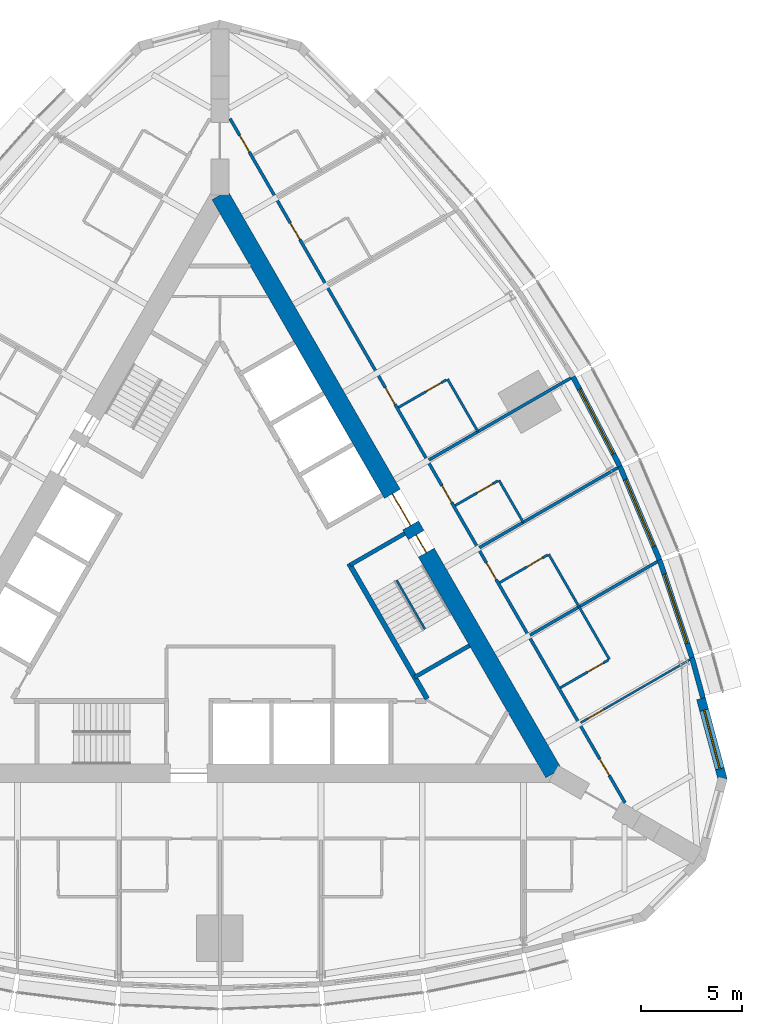
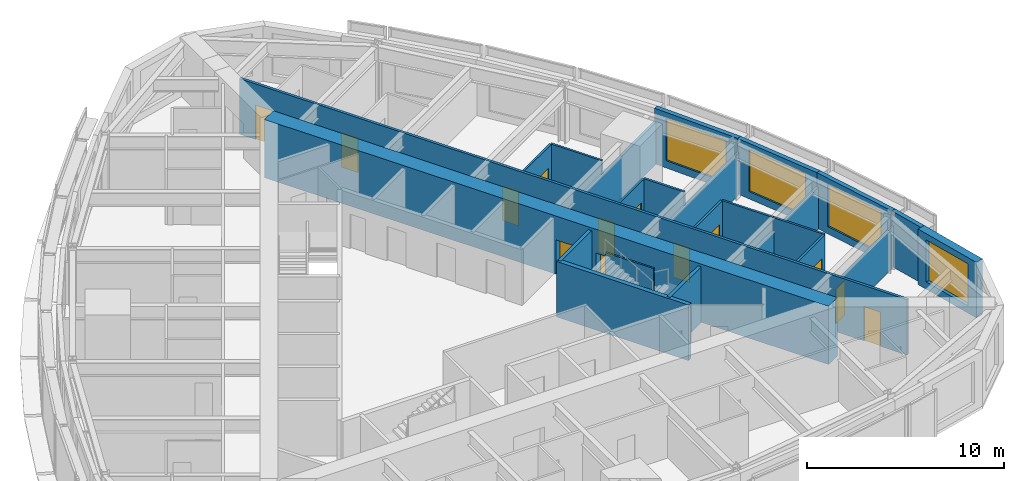
# One storey, part 12 of 15: 23 walls, 13 doors, 4 windows, 17 openings.
"""IFC4 building model written with IfcOpenShell, lengths in metres."""

from ifc_helpers import new_model, si_unit, direction, frame, frame_2d, origin, place, context, subcontext, project, spatial, rectangle, extrude, material, layer, layer_set, type_object, element, fill, save


model = new_model("IFC4")

# Units and contexts
model_context = context("Model", 3, precision=1e-05, world=origin(), true_north=direction((0.0, 1.0)))
body_context = subcontext(model_context, "Body", "Model", "MODEL_VIEW")
ifc_project = project(units=[si_unit("LENGTHUNIT", "METRE"), si_unit("AREAUNIT", "SQUARE_METRE"), si_unit("VOLUMEUNIT", "CUBIC_METRE"), si_unit("PLANEANGLEUNIT", "RADIAN"), si_unit("MASSUNIT", "GRAM", prefix="KILO")], contexts=[model_context])

# Site, building, storey
site_placement = place(None, origin())
site = spatial("IfcSite", under=ifc_project, at=site_placement, CompositionType="ELEMENT")
building_placement = place(site_placement, origin())
building = spatial("IfcBuilding", under=site, at=building_placement, Name="Trikona Tower", CompositionType="ELEMENT")
storey_placement = place(building_placement, frame((0.0, 0.0, 200.89990234375)))
storey = spatial("IfcBuildingStorey", under=building, at=storey_placement, Name="L53", CompositionType="ELEMENT", Elevation=200.89990234375)

# Wall
ifc_material_1 = material(Name="Metal stud and cement board", Category="gypsum")
ifc_layer_1 = layer(ifc_material_1, 0.1201171875)
ifc_layer_set_1 = layer_set([ifc_layer_1], Name="Bathroom wall 120")
wall_type_1 = type_object("IfcWallType", Name="Bathroom wall 120", PredefinedType="PLUMBINGWALL", material=ifc_layer_set_1)
wall_1_placement = place(storey_placement, frame((19.25341796875, -3.895263671875, 0.0), z_axis=(0.0, 0.0, 1.0), x_axis=(-0.499990139034, 0.866031096941, 0.0)))
element("IfcWall", 1, at=wall_1_placement, inside=storey, type_object=wall_type_1, Name="Bathroom wall 5306.1", PredefinedType="PLUMBINGWALL", context=body_context, shape_type="SweptSolid", body=[
    extrude(rectangle(XDim=3.0, YDim=0.1201171875, at=frame_2d((1.5, 0.0))), origin(), (0.0, 0.0, 1.0), 3.43505859375),
])

# Wall, opening, door
wall_2_placement = place(storey_placement, frame((16.82861328125, -5.295166015625, 0.0), z_axis=(0.0, 0.0, 1.0), x_axis=(0.866035715982, 0.499982138324, 0.0)))
wall_2 = element("IfcWall", 2, at=wall_2_placement, inside=storey, type_object=wall_type_1, Name="Bathroom wall 5306.1", PredefinedType="PLUMBINGWALL", context=body_context, shape_type="SweptSolid", body=[
    extrude(rectangle(XDim=2.73974609375, YDim=0.1201171875, at=frame_2d((1.369873046875, 0.0))), origin(), (0.0, 0.0, 1.0), 3.43505859375),
])
opening_1_placement = place(wall_2_placement, frame((1.550048828125, 0.0, 0.0)))
opening_1 = element("IfcOpeningElement", 3, at=opening_1_placement, cuts=wall_2, Name="Opening D2", PredefinedType="OPENING", context=body_context, shape_type="SweptSolid", body=[
    extrude(rectangle(XDim=0.89990234375, YDim=2.1298828125, at=frame_2d((0.449951171875, 1.06494140625))), frame((0.0, 0.070068359375, 0.0), z_axis=(0.0, -1.0, 0.0), x_axis=(1.0, 0.0, 0.0)), (0.0, 0.0, 1.0), 0.14013671875),
])
ifc_material_2 = material(Name="Steel door frame with solid-core timber leaf", Category="steel")
door_type_1 = type_object("IfcDoorType", Name="Bathroom door 900x2130", OperationType="SLIDING_TO_LEFT", PredefinedType="DOOR", material=ifc_material_2)
door_1_placement = place(opening_1_placement, origin())
door_1 = element("IfcDoor", 4, at=door_1_placement, inside=storey, type_object=door_type_1, Name="Bathroom door 5306.1", OperationType="SLIDING_TO_LEFT", OverallHeight=2.1298828125, OverallWidth=0.89990234375, PredefinedType="DOOR", context=body_context, shape_type="SweptSolid", body=[
    extrude(rectangle(XDim=0.89990234375, YDim=2.1298828125, at=frame_2d((0.449951171875, 1.06494140625))), frame((0.0, 0.02490234375, 0.0), z_axis=(0.0, -1.0, 0.0), x_axis=(1.0, 0.0, 0.0)), (0.0, 0.0, 1.0), 0.050048828125),
])
fill(opening_1, door_1)

# Wall
wall_3_placement = place(storey_placement, frame((17.75341796875, -1.297119140625, 0.0), z_axis=(0.0, 0.0, 1.0), x_axis=(-0.499990139034, 0.866031096941, 0.0)))
element("IfcWall", 5, at=wall_3_placement, inside=storey, type_object=wall_type_1, Name="Bathroom wall 5307", PredefinedType="PLUMBINGWALL", context=body_context, shape_type="SweptSolid", body=[
    extrude(rectangle(XDim=3.0, YDim=0.1201171875, at=frame_2d((1.5, 0.0))), origin(), (0.0, 0.0, 1.0), 3.43505859375),
])

# Wall, opening, door
wall_4_placement = place(storey_placement, frame((13.82861328125, -0.09912109375, 0.0), z_axis=(0.0, 0.0, 1.0), x_axis=(0.865997131366, 0.500048966069, 0.0)))
wall_4 = element("IfcWall", 6, at=wall_4_placement, inside=storey, type_object=wall_type_1, Name="Bathroom wall 5307", PredefinedType="PLUMBINGWALL", context=body_context, shape_type="SweptSolid", body=[
    extrude(rectangle(XDim=2.739990234375, YDim=0.1201171875, at=frame_2d((1.3701171875, 0.0))), origin(), (0.0, 0.0, 1.0), 3.43505859375),
])
opening_2_placement = place(wall_4_placement, frame((1.550048828125, 0.0, 0.0)))
opening_2 = element("IfcOpeningElement", 7, at=opening_2_placement, cuts=wall_4, Name="Opening D2", PredefinedType="OPENING", context=body_context, shape_type="SweptSolid", body=[
    extrude(rectangle(XDim=0.89990234375, YDim=2.1298828125, at=frame_2d((0.449951171875, 1.06494140625))), frame((0.0, 0.070068359375, 0.0), z_axis=(0.0, -1.0, 0.0), x_axis=(1.0, 0.0, 0.0)), (0.0, 0.0, 1.0), 0.14013671875),
])
door_2_placement = place(opening_2_placement, origin())
door_2 = element("IfcDoor", 8, at=door_2_placement, inside=storey, type_object=door_type_1, Name="Bathroom door 5307", OperationType="SLIDING_TO_LEFT", OverallHeight=2.1298828125, OverallWidth=0.89990234375, PredefinedType="DOOR", context=body_context, shape_type="SweptSolid", body=[
    extrude(rectangle(XDim=0.89990234375, YDim=2.1298828125, at=frame_2d((0.449951171875, 1.06494140625))), frame((0.0, 0.02490234375, 0.0), z_axis=(0.0, -1.0, 0.0), x_axis=(1.0, 0.0, 0.0)), (0.0, 0.0, 1.0), 0.050048828125),
])
fill(opening_2, door_2)

# Wall
wall_5_placement = place(storey_placement, frame((14.993408203125, 2.883056640625, 0.0), z_axis=(0.0, 0.0, 1.0), x_axis=(-0.500001309137, 0.866024647952, 0.0)))
element("IfcWall", 9, at=wall_5_placement, inside=storey, type_object=wall_type_1, Name="Bathroom wall 5308", PredefinedType="PLUMBINGWALL", context=body_context, shape_type="SweptSolid", body=[
    extrude(rectangle(XDim=2.39990234375, YDim=0.1201171875, at=frame_2d((1.199951171875, 0.0))), origin(), (0.0, 0.0, 1.0), 3.43505859375),
])

# Wall, opening, door
wall_6_placement = place(storey_placement, frame((11.62841796875, 3.71142578125, 0.0), z_axis=(0.0, 0.0, 1.0), x_axis=(0.866048967903, 0.499959183527, 0.0)))
wall_6 = element("IfcWall", 10, at=wall_6_placement, inside=storey, type_object=wall_type_1, Name="Bathroom wall 5308", PredefinedType="PLUMBINGWALL", context=body_context, shape_type="SweptSolid", body=[
    extrude(rectangle(XDim=2.440185546875, YDim=0.1201171875, at=frame_2d((1.22021484375, 0.0))), origin(), (0.0, 0.0, 1.0), 3.43505859375),
])
opening_3_placement = place(wall_6_placement, frame((1.25, 0.0, 0.0)))
opening_3 = element("IfcOpeningElement", 11, at=opening_3_placement, cuts=wall_6, Name="Opening D2", PredefinedType="OPENING", context=body_context, shape_type="SweptSolid", body=[
    extrude(rectangle(XDim=0.89990234375, YDim=2.1298828125, at=frame_2d((0.449951171875, 1.06494140625))), frame((0.0, 0.070068359375, 0.0), z_axis=(0.0, -1.0, 0.0), x_axis=(1.0, 0.0, 0.0)), (0.0, 0.0, 1.0), 0.14013671875),
])
door_3_placement = place(opening_3_placement, origin())
door_3 = element("IfcDoor", 12, at=door_3_placement, inside=storey, type_object=door_type_1, Name="Bathroom door 5308", OperationType="SLIDING_TO_LEFT", OverallHeight=2.1298828125, OverallWidth=0.89990234375, PredefinedType="DOOR", context=body_context, shape_type="SweptSolid", body=[
    extrude(rectangle(XDim=0.89990234375, YDim=2.1298828125, at=frame_2d((0.449951171875, 1.06494140625))), frame((0.0, 0.02490234375, 0.0), z_axis=(0.0, -1.0, 0.0), x_axis=(1.0, 0.0, 0.0)), (0.0, 0.0, 1.0), 0.050048828125),
])
fill(opening_3, door_3)

# Wall
wall_7_placement = place(storey_placement, frame((12.75341796875, 7.363037109375, 0.0), z_axis=(0.0, 0.0, 1.0), x_axis=(-0.499990139034, 0.866031096941, 0.0)))
element("IfcWall", 13, at=wall_7_placement, inside=storey, type_object=wall_type_1, Name="Bathroom wall 5309", PredefinedType="PLUMBINGWALL", context=body_context, shape_type="SweptSolid", body=[
    extrude(rectangle(XDim=3.0, YDim=0.1201171875, at=frame_2d((1.5, 0.0))), origin(), (0.0, 0.0, 1.0), 3.43505859375),
])

# Wall, opening, door
wall_8_placement = place(storey_placement, frame((8.82861328125, 8.561279296875, 0.0), z_axis=(0.0, 0.0, 1.0), x_axis=(0.866035715982, 0.499982138324, 0.0)))
wall_8 = element("IfcWall", 14, at=wall_8_placement, inside=storey, type_object=wall_type_1, Name="Bathroom wall 5309", PredefinedType="PLUMBINGWALL", context=body_context, shape_type="SweptSolid", body=[
    extrude(rectangle(XDim=2.73974609375, YDim=0.1201171875, at=frame_2d((1.369873046875, 0.0))), origin(), (0.0, 0.0, 1.0), 3.43505859375),
])
opening_4_placement = place(wall_8_placement, frame((1.550048828125, 0.0, 0.0)))
opening_4 = element("IfcOpeningElement", 15, at=opening_4_placement, cuts=wall_8, Name="Opening D2", PredefinedType="OPENING", context=body_context, shape_type="SweptSolid", body=[
    extrude(rectangle(XDim=0.89990234375, YDim=2.1298828125, at=frame_2d((0.449951171875, 1.06494140625))), frame((0.0, 0.070068359375, 0.0), z_axis=(0.0, -1.0, 0.0), x_axis=(1.0, 0.0, 0.0)), (0.0, 0.0, 1.0), 0.14013671875),
])
door_4_placement = place(opening_4_placement, origin())
door_4 = element("IfcDoor", 16, at=door_4_placement, inside=storey, type_object=door_type_1, Name="Bathroom door 5309", OperationType="SLIDING_TO_LEFT", OverallHeight=2.1298828125, OverallWidth=0.89990234375, PredefinedType="DOOR", context=body_context, shape_type="SweptSolid", body=[
    extrude(rectangle(XDim=0.89990234375, YDim=2.1298828125, at=frame_2d((0.449951171875, 1.06494140625))), frame((0.0, 0.02490234375, 0.0), z_axis=(0.0, -1.0, 0.0), x_axis=(1.0, 0.0, 0.0)), (0.0, 0.0, 1.0), 0.050048828125),
])
fill(opening_4, door_4)

# Wall, opening, window
ifc_material_3 = material(Name="Brick-faced precast concrete", Category="masonry")
ifc_layer_2 = layer(ifc_material_3, 0.449951171875)
ifc_layer_set_2 = layer_set([ifc_layer_2], Name="Brick-faced corner wall 450")
wall_type_2 = type_object("IfcWallType", Name="Brick-faced corner wall 450", PredefinedType="SOLIDWALL", material=ifc_layer_set_2)
wall_9_placement = place(storey_placement, frame((24.865478515625, -9.873291015625, 0.0), z_axis=(0.0, 0.0, 1.0), x_axis=(-0.258784695888, 0.965935029479, 0.0)))
wall_9 = element("IfcWall", 17, at=wall_9_placement, inside=storey, type_object=wall_type_2, Name="External wall L53-11", PredefinedType="SOLIDWALL", context=body_context, shape_type="SweptSolid", body=[
    extrude(rectangle(XDim=4.18408203125, YDim=0.449951171875, at=frame_2d((2.092041015625, 0.0))), origin(), (0.0, 0.0, 1.0), 3.43505859375),
])
opening_5_placement = place(wall_9_placement, frame((0.592041015625, 0.0, 0.449951171875)))
opening_5 = element("IfcOpeningElement", 18, at=opening_5_placement, cuts=wall_9, Name="Opening W3026", PredefinedType="OPENING", context=body_context, shape_type="SweptSolid", body=[
    extrude(rectangle(XDim=3.0, YDim=2.60009765625, at=frame_2d((1.5, 1.300048828125))), frame((0.0, 0.23486328125, 0.0), z_axis=(0.0, -1.0, 0.0), x_axis=(1.0, 0.0, 0.0)), (0.0, 0.0, 1.0), 0.469970703125),
])
ifc_material_4 = material(Name="Aluminium-framed double glazing", Category="aluminium")
window_type_1 = type_object("IfcWindowType", Name="Window 3000x2600", PartitioningType="SINGLE_PANEL", PredefinedType="WINDOW", material=ifc_material_4)
window_1_placement = place(opening_5_placement, origin())
window_1 = element("IfcWindow", 19, at=window_1_placement, inside=storey, type_object=window_type_1, Name="Window 5306", OverallHeight=2.60009765625, OverallWidth=3.0, PartitioningType="SINGLE_PANEL", PredefinedType="WINDOW", context=body_context, shape_type="SweptSolid", body=[
    extrude(rectangle(XDim=3.0, YDim=2.60009765625, at=frame_2d((1.5, 1.300048828125))), frame((0.0, 0.030029296875, 0.0), z_axis=(0.0, -1.0, 0.0), x_axis=(1.0, 0.0, 0.0)), (0.0, 0.0, 1.0), 0.06005859375),
])
fill(opening_5, window_1)

# Wall, openings, doors
ifc_material_5 = material(Name="Concrete f'c 10000 psi", Category="concrete")
ifc_layer_3 = layer(ifc_material_5, 0.89990234375)
ifc_layer_set_3 = layer_set([ifc_layer_3], Name="Core wall 900")
wall_type_3 = type_object("IfcWallType", Name="Core wall 900", PredefinedType="SHEAR", material=ifc_layer_set_3)
wall_10_placement = place(storey_placement, frame((16.5, -9.5263671875, 0.0), z_axis=(0.0, 0.0, 1.0), x_axis=(-0.499999749417, 0.866025548458, 0.0)))
wall_10 = element("IfcWall", 20, at=wall_10_placement, inside=storey, type_object=wall_type_3, Name="Core wall B", PredefinedType="SHEAR", context=body_context, shape_type="SweptSolid", body=[
    extrude(rectangle(XDim=33.0, YDim=0.89990234375, at=frame_2d((16.5, 0.0))), origin(), (0.0, 0.0, 1.0), 3.60009765625),
])
opening_6_placement = place(wall_10_placement, frame((14.14990234375, 0.0, 0.0)))
opening_6 = element("IfcOpeningElement", 21, at=opening_6_placement, cuts=wall_10, Name="Opening D6", PredefinedType="OPENING", context=body_context, shape_type="SweptSolid", body=[
    extrude(rectangle(XDim=1.800048828125, YDim=2.1298828125, at=frame_2d((0.89990234375, 1.06494140625))), frame((0.0, 0.4599609375, 0.0), z_axis=(0.0, -1.0, 0.0), x_axis=(1.0, 0.0, 0.0)), (0.0, 0.0, 1.0), 0.919921875),
])
opening_7_placement = place(wall_10_placement, frame((12.60009765625, 0.0, 0.0)))
opening_7 = element("IfcOpeningElement", 22, at=opening_7_placement, cuts=wall_10, Name="Opening D5", PredefinedType="OPENING", context=body_context, shape_type="SweptSolid", body=[
    extrude(rectangle(XDim=1.0, YDim=2.1298828125, at=frame_2d((0.5, 1.06494140625))), frame((0.0, 0.4599609375, 0.0), z_axis=(0.0, -1.0, 0.0), x_axis=(1.0, 0.0, 0.0)), (0.0, 0.0, 1.0), 0.919921875),
])
ifc_material_6 = material(Name="Hollow metal door and frame", Category="steel")
door_type_2 = type_object("IfcDoorType", Name="Lobby door pair 1800x2130", OperationType="DOUBLE_DOOR_SINGLE_SWING", PredefinedType="DOOR", material=ifc_material_6)
door_5_placement = place(opening_6_placement, origin())
door_5 = element("IfcDoor", 23, at=door_5_placement, inside=storey, type_object=door_type_2, Name="Lift lobby door B", OperationType="DOUBLE_DOOR_SINGLE_SWING", OverallHeight=2.1298828125, OverallWidth=1.800048828125, PredefinedType="DOOR", context=body_context, shape_type="SweptSolid", body=[
    extrude(rectangle(XDim=1.800048828125, YDim=2.1298828125, at=frame_2d((0.89990234375, 1.06494140625))), frame((0.0, 0.02490234375, 0.0), z_axis=(0.0, -1.0, 0.0), x_axis=(1.0, 0.0, 0.0)), (0.0, 0.0, 1.0), 0.050048828125),
])
fill(opening_6, door_5)
ifc_material_7 = material(Name="Hollow metal door and frame", Category="steel")
door_type_3 = type_object("IfcDoorType", Name="Stair door 1000x2130", OperationType="SINGLE_SWING_LEFT", PredefinedType="DOOR", material=ifc_material_7)
door_6_placement = place(opening_7_placement, origin())
door_6 = element("IfcDoor", 24, at=door_6_placement, inside=storey, type_object=door_type_3, Name="Stair B door", OperationType="SINGLE_SWING_RIGHT", OverallHeight=2.1298828125, OverallWidth=1.0, PredefinedType="DOOR", context=body_context, shape_type="SweptSolid", body=[
    extrude(rectangle(XDim=1.0, YDim=2.1298828125, at=frame_2d((0.5, 1.06494140625))), frame((0.0, 0.02490234375, 0.0), z_axis=(0.0, -1.0, 0.0), x_axis=(1.0, 0.0, 0.0)), (0.0, 0.0, 1.0), 0.050048828125),
])
fill(opening_7, door_6)

ifc_material_8 = material(Name="Metal stud and gypsum board, 1-hour", Category="gypsum")
ifc_layer_4 = layer(ifc_material_8, 0.14990234375)
ifc_layer_set_4 = layer_set([ifc_layer_4], Name="Corridor wall 150")
wall_type_4 = type_object("IfcWallType", Name="Corridor wall 150", PredefinedType="PARTITIONING", material=ifc_layer_set_4)
wall_11_placement = place(storey_placement, frame((20.027099609375, -10.9853515625, 0.0), z_axis=(0.0, 0.0, 1.0), x_axis=(-0.500001677587, 0.866024435227, 0.0)))
wall_11 = element("IfcWall", 25, at=wall_11_placement, inside=storey, type_object=wall_type_4, Name="Corridor wall L53-2", PredefinedType="PARTITIONING", context=body_context, shape_type="SweptSolid", body=[
    extrude(rectangle(XDim=39.053955078125, YDim=0.14990234375, at=frame_2d((19.52685546875, 0.0))), origin(), (0.0, 0.0, 1.0), 3.43505859375),
])
opening_8_placement = place(wall_11_placement, frame((1.558349609375, 0.0, 0.0)))
opening_8 = element("IfcOpeningElement", 26, at=opening_8_placement, cuts=wall_11, Name="Opening D1", PredefinedType="OPENING", context=body_context, shape_type="SweptSolid", body=[
    extrude(rectangle(XDim=0.949951171875, YDim=2.1298828125, at=frame_2d((0.47509765625, 1.06494140625))), frame((0.0, 0.0849609375, 0.0), z_axis=(0.0, -1.0, 0.0), x_axis=(1.0, 0.0, 0.0)), (0.0, 0.0, 1.0), 0.169921875),
])
opening_9_placement = place(wall_11_placement, frame((12.751953125, 0.0, 0.0)))
opening_9 = element("IfcOpeningElement", 27, at=opening_9_placement, cuts=wall_11, Name="Opening D1", PredefinedType="OPENING", context=body_context, shape_type="SweptSolid", body=[
    extrude(rectangle(XDim=0.949951171875, YDim=2.1298828125, at=frame_2d((0.47509765625, 1.06494140625))), frame((0.0, 0.0849609375, 0.0), z_axis=(0.0, -1.0, 0.0), x_axis=(1.0, 0.0, 0.0)), (0.0, 0.0, 1.0), 0.169921875),
])
opening_10_placement = place(wall_11_placement, frame((17.152099609375, 0.0, 0.0)))
opening_10 = element("IfcOpeningElement", 28, at=opening_10_placement, cuts=wall_11, Name="Opening D1", PredefinedType="OPENING", context=body_context, shape_type="SweptSolid", body=[
    extrude(rectangle(XDim=0.949951171875, YDim=2.1298828125, at=frame_2d((0.47509765625, 1.06494140625))), frame((0.0, 0.0849609375, 0.0), z_axis=(0.0, -1.0, 0.0), x_axis=(1.0, 0.0, 0.0)), (0.0, 0.0, 1.0), 0.169921875),
])
opening_11_placement = place(wall_11_placement, frame((22.751953125, 0.0, 0.0)))
opening_11 = element("IfcOpeningElement", 29, at=opening_11_placement, cuts=wall_11, Name="Opening D1", PredefinedType="OPENING", context=body_context, shape_type="SweptSolid", body=[
    extrude(rectangle(XDim=0.949951171875, YDim=2.1298828125, at=frame_2d((0.47509765625, 1.06494140625))), frame((0.0, 0.0849609375, 0.0), z_axis=(0.0, -1.0, 0.0), x_axis=(1.0, 0.0, 0.0)), (0.0, 0.0, 1.0), 0.169921875),
])
opening_12_placement = place(wall_11_placement, frame((32.152099609375, 0.0, 0.0)))
opening_12 = element("IfcOpeningElement", 30, at=opening_12_placement, cuts=wall_11, Name="Opening D1", PredefinedType="OPENING", context=body_context, shape_type="SweptSolid", body=[
    extrude(rectangle(XDim=0.949951171875, YDim=2.1298828125, at=frame_2d((0.47509765625, 1.06494140625))), frame((0.0, 0.0849609375, 0.0), z_axis=(0.0, -1.0, 0.0), x_axis=(1.0, 0.0, 0.0)), (0.0, 0.0, 1.0), 0.169921875),
])
opening_13_placement = place(wall_11_placement, frame((37.152099609375, 0.0, 0.0)))
opening_13 = element("IfcOpeningElement", 31, at=opening_13_placement, cuts=wall_11, Name="Opening D1", PredefinedType="OPENING", context=body_context, shape_type="SweptSolid", body=[
    extrude(rectangle(XDim=0.949951171875, YDim=2.1298828125, at=frame_2d((0.47509765625, 1.06494140625))), frame((0.0, 0.0849609375, 0.0), z_axis=(0.0, -1.0, 0.0), x_axis=(1.0, 0.0, 0.0)), (0.0, 0.0, 1.0), 0.169921875),
])
ifc_material_9 = material(Name="Steel door frame with solid-core timber leaf", Category="steel")
door_type_4 = type_object("IfcDoorType", Name="Guest room door 950x2130", OperationType="SINGLE_SWING_LEFT", PredefinedType="DOOR", material=ifc_material_9)
door_7_placement = place(opening_8_placement, origin())
door_7 = element("IfcDoor", 32, at=door_7_placement, inside=storey, type_object=door_type_4, Name="Room door 5306", OperationType="SINGLE_SWING_LEFT", OverallHeight=2.1298828125, OverallWidth=0.949951171875, PredefinedType="DOOR", context=body_context, shape_type="SweptSolid", body=[
    extrude(rectangle(XDim=0.949951171875, YDim=2.1298828125, at=frame_2d((0.47509765625, 1.06494140625))), frame((0.0, 0.02490234375, 0.0), z_axis=(0.0, -1.0, 0.0), x_axis=(1.0, 0.0, 0.0)), (0.0, 0.0, 1.0), 0.050048828125),
])
fill(opening_8, door_7)
door_8_placement = place(opening_9_placement, origin())
door_8 = element("IfcDoor", 33, at=door_8_placement, inside=storey, type_object=door_type_4, Name="Room door 5307", OperationType="SINGLE_SWING_RIGHT", OverallHeight=2.1298828125, OverallWidth=0.949951171875, PredefinedType="DOOR", context=body_context, shape_type="SweptSolid", body=[
    extrude(rectangle(XDim=0.949951171875, YDim=2.1298828125, at=frame_2d((0.47509765625, 1.06494140625))), frame((0.0, 0.02490234375, 0.0), z_axis=(0.0, -1.0, 0.0), x_axis=(1.0, 0.0, 0.0)), (0.0, 0.0, 1.0), 0.050048828125),
])
fill(opening_9, door_8)
door_9_placement = place(opening_10_placement, origin())
door_9 = element("IfcDoor", 34, at=door_9_placement, inside=storey, type_object=door_type_4, Name="Room door 5308", OperationType="SINGLE_SWING_LEFT", OverallHeight=2.1298828125, OverallWidth=0.949951171875, PredefinedType="DOOR", context=body_context, shape_type="SweptSolid", body=[
    extrude(rectangle(XDim=0.949951171875, YDim=2.1298828125, at=frame_2d((0.47509765625, 1.06494140625))), frame((0.0, 0.02490234375, 0.0), z_axis=(0.0, -1.0, 0.0), x_axis=(1.0, 0.0, 0.0)), (0.0, 0.0, 1.0), 0.050048828125),
])
fill(opening_10, door_9)
door_10_placement = place(opening_11_placement, origin())
door_10 = element("IfcDoor", 35, at=door_10_placement, inside=storey, type_object=door_type_4, Name="Room door 5309", OperationType="SINGLE_SWING_RIGHT", OverallHeight=2.1298828125, OverallWidth=0.949951171875, PredefinedType="DOOR", context=body_context, shape_type="SweptSolid", body=[
    extrude(rectangle(XDim=0.949951171875, YDim=2.1298828125, at=frame_2d((0.47509765625, 1.06494140625))), frame((0.0, 0.02490234375, 0.0), z_axis=(0.0, -1.0, 0.0), x_axis=(1.0, 0.0, 0.0)), (0.0, 0.0, 1.0), 0.050048828125),
])
fill(opening_11, door_10)
door_11_placement = place(opening_12_placement, origin())
door_11 = element("IfcDoor", 36, at=door_11_placement, inside=storey, type_object=door_type_4, Name="Room door 5310", OperationType="SINGLE_SWING_LEFT", OverallHeight=2.1298828125, OverallWidth=0.949951171875, PredefinedType="DOOR", context=body_context, shape_type="SweptSolid", body=[
    extrude(rectangle(XDim=0.949951171875, YDim=2.1298828125, at=frame_2d((0.47509765625, 1.06494140625))), frame((0.0, 0.02490234375, 0.0), z_axis=(0.0, -1.0, 0.0), x_axis=(1.0, 0.0, 0.0)), (0.0, 0.0, 1.0), 0.050048828125),
])
fill(opening_12, door_11)
door_12_placement = place(opening_13_placement, origin())
door_12 = element("IfcDoor", 37, at=door_12_placement, inside=storey, type_object=door_type_4, Name="Room door 5311", OperationType="SINGLE_SWING_RIGHT", OverallHeight=2.1298828125, OverallWidth=0.949951171875, PredefinedType="DOOR", context=body_context, shape_type="SweptSolid", body=[
    extrude(rectangle(XDim=0.949951171875, YDim=2.1298828125, at=frame_2d((0.47509765625, 1.06494140625))), frame((0.0, 0.02490234375, 0.0), z_axis=(0.0, -1.0, 0.0), x_axis=(1.0, 0.0, 0.0)), (0.0, 0.0, 1.0), 0.050048828125),
])
fill(opening_13, door_12)

# Walls
ifc_material_10 = material(Name="Concrete f'c 8000 psi", Category="concrete")
ifc_layer_5 = layer(ifc_material_10, 0.25)
ifc_layer_set_5 = layer_set([ifc_layer_5], Name="Hub wall 250")
wall_type_5 = type_object("IfcWallType", Name="Hub wall 250", PredefinedType="SOLIDWALL", material=ifc_layer_set_5)
wall_12_placement = place(storey_placement, frame((10.245361328125, -5.843017578125, 0.0), z_axis=(0.0, 0.0, 1.0), x_axis=(-0.499993009313, 0.866029439822, 0.0)))
element("IfcWall", 38, at=wall_12_placement, inside=storey, type_object=wall_type_5, Name="Lift lobby wall B1", PredefinedType="SOLIDWALL", context=body_context, shape_type="SweptSolid", body=[
    extrude(rectangle(XDim=7.73291015625, YDim=0.25, at=frame_2d((3.866455078125, 0.0))), origin(), (0.0, 0.0, 1.0), 3.43505859375),
])
ifc_material_11 = material(Name="Insulated precast concrete spandrel panel", Category="concrete")
ifc_layer_6 = layer(ifc_material_11, 0.25)
ifc_layer_set_6 = layer_set([ifc_layer_6], Name="Inner skin wall 250")
wall_type_6 = type_object("IfcWallType", Name="Inner skin wall 250", PredefinedType="STANDARD", material=ifc_layer_set_6)
wall_13_placement = place(storey_placement, frame((23.87939453125, -5.806396484375, 0.0), z_axis=(0.0, 0.0, 1.0), x_axis=(-0.262867703986, 0.964831887015, 0.0)))
element("IfcWall", 39, at=wall_13_placement, inside=storey, type_object=wall_type_6, Name="External wall L53-12", PredefinedType="STANDARD", context=body_context, shape_type="SweptSolid", body=[
    extrude(rectangle(XDim=2.068359375, YDim=0.25, at=frame_2d((1.0341796875, 0.0))), origin(), (0.0, 0.0, 1.0), 3.43505859375),
])

# Wall, opening, window
wall_14_placement = place(storey_placement, frame((23.337890625, -3.8173828125, 0.0), z_axis=(0.0, 0.0, 1.0), x_axis=(-0.315108478109, 0.949055660656, 0.0)))
wall_14 = element("IfcWall", 40, at=wall_14_placement, inside=storey, type_object=wall_type_6, Name="External wall L53-13", PredefinedType="STANDARD", context=body_context, shape_type="SweptSolid", body=[
    extrude(rectangle(XDim=5.10498046875, YDim=0.25, at=frame_2d((2.552490234375, 0.0))), origin(), (0.0, 0.0, 1.0), 3.43505859375),
])
opening_14_placement = place(wall_14_placement, frame((0.75244140625, 0.0, 0.449951171875)))
opening_14 = element("IfcOpeningElement", 41, at=opening_14_placement, cuts=wall_14, Name="Opening W3626", PredefinedType="OPENING", context=body_context, shape_type="SweptSolid", body=[
    extrude(rectangle(XDim=3.60009765625, YDim=2.60009765625, at=frame_2d((1.800048828125, 1.300048828125))), frame((0.0, 0.135009765625, 0.0), z_axis=(0.0, -1.0, 0.0), x_axis=(1.0, 0.0, 0.0)), (0.0, 0.0, 1.0), 0.27001953125),
])
ifc_material_12 = material(Name="Aluminium-framed double glazing", Category="aluminium")
window_type_2 = type_object("IfcWindowType", Name="Window 3600x2600", PartitioningType="SINGLE_PANEL", PredefinedType="WINDOW", material=ifc_material_12)
window_2_placement = place(opening_14_placement, origin())
window_2 = element("IfcWindow", 42, at=window_2_placement, inside=storey, type_object=window_type_2, Name="Window 5306.1", OverallHeight=2.60009765625, OverallWidth=3.60009765625, PartitioningType="SINGLE_PANEL", PredefinedType="WINDOW", context=body_context, shape_type="SweptSolid", body=[
    extrude(rectangle(XDim=3.60009765625, YDim=2.60009765625, at=frame_2d((1.800048828125, 1.300048828125))), frame((0.0, 0.030029296875, 0.0), z_axis=(0.0, -1.0, 0.0), x_axis=(1.0, 0.0, 0.0)), (0.0, 0.0, 1.0), 0.06005859375),
])
fill(opening_14, window_2)

wall_15_placement = place(storey_placement, frame((21.73291015625, 1.01806640625, 0.0), z_axis=(0.0, 0.0, 1.0), x_axis=(-0.390096809471, 0.920773848044, 0.0)))
wall_15 = element("IfcWall", 43, at=wall_15_placement, inside=storey, type_object=wall_type_6, Name="External wall L53-14", PredefinedType="STANDARD", context=body_context, shape_type="SweptSolid", body=[
    extrude(rectangle(XDim=5.0380859375, YDim=0.25, at=frame_2d((2.51904296875, 0.0))), origin(), (0.0, 0.0, 1.0), 3.43505859375),
])
opening_15_placement = place(wall_15_placement, frame((0.718994140625, 0.0, 0.449951171875)))
opening_15 = element("IfcOpeningElement", 44, at=opening_15_placement, cuts=wall_15, Name="Opening W3626", PredefinedType="OPENING", context=body_context, shape_type="SweptSolid", body=[
    extrude(rectangle(XDim=3.60009765625, YDim=2.60009765625, at=frame_2d((1.800048828125, 1.300048828125))), frame((0.0, 0.135009765625, 0.0), z_axis=(0.0, -1.0, 0.0), x_axis=(1.0, 0.0, 0.0)), (0.0, 0.0, 1.0), 0.27001953125),
])
window_3_placement = place(opening_15_placement, origin())
window_3 = element("IfcWindow", 45, at=window_3_placement, inside=storey, type_object=window_type_2, Name="Window 5307", OverallHeight=2.60009765625, OverallWidth=3.60009765625, PartitioningType="SINGLE_PANEL", PredefinedType="WINDOW", context=body_context, shape_type="SweptSolid", body=[
    extrude(rectangle(XDim=3.60009765625, YDim=2.60009765625, at=frame_2d((1.800048828125, 1.300048828125))), frame((0.0, 0.030029296875, 0.0), z_axis=(0.0, -1.0, 0.0), x_axis=(1.0, 0.0, 0.0)), (0.0, 0.0, 1.0), 0.06005859375),
])
fill(opening_15, window_3)

wall_16_placement = place(storey_placement, frame((19.772216796875, 5.64794921875, 0.0), z_axis=(0.0, 0.0, 1.0), x_axis=(-0.463976002579, 0.885847768542, 0.0)))
wall_16 = element("IfcWall", 46, at=wall_16_placement, inside=storey, type_object=wall_type_6, Name="External wall L53-15", PredefinedType="STANDARD", context=body_context, shape_type="SweptSolid", body=[
    extrude(rectangle(XDim=5.004150390625, YDim=0.25, at=frame_2d((2.501953125, 0.0))), origin(), (0.0, 0.0, 1.0), 3.43505859375),
])
opening_16_placement = place(wall_16_placement, frame((0.7021484375, 0.0, 0.449951171875)))
opening_16 = element("IfcOpeningElement", 47, at=opening_16_placement, cuts=wall_16, Name="Opening W3626", PredefinedType="OPENING", context=body_context, shape_type="SweptSolid", body=[
    extrude(rectangle(XDim=3.60009765625, YDim=2.60009765625, at=frame_2d((1.800048828125, 1.300048828125))), frame((0.0, 0.135009765625, 0.0), z_axis=(0.0, -1.0, 0.0), x_axis=(1.0, 0.0, 0.0)), (0.0, 0.0, 1.0), 0.27001953125),
])
window_4_placement = place(opening_16_placement, origin())
window_4 = element("IfcWindow", 48, at=window_4_placement, inside=storey, type_object=window_type_2, Name="Window 5308", OverallHeight=2.60009765625, OverallWidth=3.60009765625, PartitioningType="SINGLE_PANEL", PredefinedType="WINDOW", context=body_context, shape_type="SweptSolid", body=[
    extrude(rectangle(XDim=3.60009765625, YDim=2.60009765625, at=frame_2d((1.800048828125, 1.300048828125))), frame((0.0, 0.030029296875, 0.0), z_axis=(0.0, -1.0, 0.0), x_axis=(1.0, 0.0, 0.0)), (0.0, 0.0, 1.0), 0.06005859375),
])
fill(opening_16, window_4)

# Walls
ifc_material_13 = material(Name="Metal stud and gypsum board, 1-hour acoustic", Category="gypsum")
ifc_layer_7 = layer(ifc_material_13, 0.14990234375)
ifc_layer_set_7 = layer_set([ifc_layer_7], Name="Party wall 150")
wall_type_7 = type_object("IfcWallType", Name="Party wall 150", PredefinedType="PARTITIONING", material=ifc_layer_set_7)
wall_17_placement = place(storey_placement, frame((15.32861328125, -2.697021484375, 0.0), z_axis=(0.0, 0.0, 1.0), x_axis=(0.866032413668, 0.499987858329, 0.0)))
element("IfcWall", 49, at=wall_17_placement, inside=storey, type_object=wall_type_7, Name="Partition L53 F2 u-10", PredefinedType="PARTITIONING", context=body_context, shape_type="SweptSolid", body=[
    extrude(rectangle(XDim=7.272705078125, YDim=0.14990234375, at=frame_2d((3.63623046875, 0.0))), origin(), (0.0, 0.0, 1.0), 2.58935546875),
])
wall_18_placement = place(storey_placement, frame((12.82861328125, 1.633056640625, 0.0), z_axis=(0.0, 0.0, 1.0), x_axis=(0.866030558329, 0.49999107196, 0.0)))
element("IfcWall", 50, at=wall_18_placement, inside=storey, type_object=wall_type_7, Name="Partition L53 F2 u-5", PredefinedType="PARTITIONING", context=body_context, shape_type="SweptSolid", body=[
    extrude(rectangle(XDim=7.893798828125, YDim=0.14990234375, at=frame_2d((3.94677734375, 0.0))), origin(), (0.0, 0.0, 1.0), 2.58935546875),
])
wall_19_placement = place(storey_placement, frame((10.32861328125, 5.963134765625, 0.0), z_axis=(0.0, 0.0, 1.0), x_axis=(0.866016460812, 0.500015489362, 0.0)))
element("IfcWall", 51, at=wall_19_placement, inside=storey, type_object=wall_type_7, Name="Partition L53 F2 u-2.10942e-15", PredefinedType="PARTITIONING", context=body_context, shape_type="SweptSolid", body=[
    extrude(rectangle(XDim=8.101318359375, YDim=0.14990234375, at=frame_2d((4.05078125, 0.0))), origin(), (0.0, 0.0, 1.0), 2.58935546875),
])
ifc_material_14 = material(Name="Concrete f'c 8000 psi", Category="concrete")
ifc_layer_8 = layer(ifc_material_14, 0.199951171875)
ifc_layer_set_8 = layer_set([ifc_layer_8], Name="Shaft wall 200 load-bearing")
wall_type_8 = type_object("IfcWallType", Name="Shaft wall 200 load-bearing", PredefinedType="SOLIDWALL", material=ifc_layer_set_8)
for number, where, z_axis, x_axis, name in (
    (52, (9.62890625, -4.775390625, 0.0), (0.0, 0.0, 1.0), (0.866022959057, 0.500004234368, 0.0), "Shaft wall B1"),
    (53, (6.428955078125, 0.767333984375, 0.0), (0.0, 0.0, 1.0), (0.866022959057, 0.500004234368, 0.0), "Shaft wall B2"),
):
    element("IfcWall", number, at=place(storey_placement, frame(where, z_axis=z_axis, x_axis=x_axis)), inside=storey, type_object=wall_type_8, Name=name, PredefinedType="SOLIDWALL", context=body_context, shape_type="SweptSolid", body=[
        extrude(rectangle(XDim=3.125, YDim=0.199951171875, at=frame_2d((1.5625, 0.0))), origin(), (0.0, 0.0, 1.0), 3.43505859375),
    ])
ifc_material_15 = material(Name="Concrete f'c 5000 psi", Category="concrete")
ifc_layer_9 = layer(ifc_material_15, 0.10009765625)
ifc_layer_set_9 = layer_set([ifc_layer_9], Name="Stair spine wall 100")
wall_type_9 = type_object("IfcWallType", Name="Stair spine wall 100", PredefinedType="SOLIDWALL", material=ifc_layer_set_9)
wall_20_placement = place(storey_placement, frame((10.134765625, -2.4013671875, 0.0), z_axis=(0.0, 0.0, 1.0), x_axis=(-0.499992232847, 0.866029888106, 0.0)))
element("IfcWall", 54, at=wall_20_placement, inside=storey, type_object=wall_type_9, Name="Stair B spine wall L53", PredefinedType="SOLIDWALL", context=body_context, shape_type="SweptSolid", body=[
    extrude(rectangle(XDim=2.7939453125, YDim=0.10009765625, at=frame_2d((1.39697265625, 0.0))), origin(), (0.0, 0.0, 1.0), 3.60009765625),
])

# Wall, opening, door
ifc_material_16 = material(Name="Metal stud and gypsum board, acoustic", Category="gypsum")
ifc_layer_10 = layer(ifc_material_16, 0.10009765625)
ifc_layer_set_10 = layer_set([ifc_layer_10], Name="Suite partition 100")
wall_type_10 = type_object("IfcWallType", Name="Suite partition 100", PredefinedType="PARTITIONING", material=ifc_layer_set_10)
wall_21_placement = place(storey_placement, frame((17.82861328125, -7.027099609375, 0.0), z_axis=(0.0, 0.0, 1.0), x_axis=(0.866026604282, 0.499997920671, 0.0)))
wall_21 = element("IfcWall", 55, at=wall_21_placement, inside=storey, type_object=wall_type_10, Name="Suite partition L53 F2 u-15", PredefinedType="PARTITIONING", context=body_context, shape_type="SweptSolid", body=[
    extrude(rectangle(XDim=6.23974609375, YDim=0.10009765625, at=frame_2d((3.119873046875, 0.0))), origin(), (0.0, 0.0, 1.0), 2.58935546875),
])
opening_17_placement = place(wall_21_placement, frame((0.449951171875, 0.0, 0.0)))
opening_17 = element("IfcOpeningElement", 56, at=opening_17_placement, cuts=wall_21, Name="Opening D13", PredefinedType="OPENING", context=body_context, shape_type="SweptSolid", body=[
    extrude(rectangle(XDim=0.89990234375, YDim=2.1298828125, at=frame_2d((0.449951171875, 1.06494140625))), frame((0.0, 0.06005859375, 0.0), z_axis=(0.0, -1.0, 0.0), x_axis=(1.0, 0.0, 0.0)), (0.0, 0.0, 1.0), 0.1201171875),
])
ifc_material_17 = material(Name="Steel door frame with solid-core timber leaf", Category="steel")
door_type_5 = type_object("IfcDoorType", Name="Suite door 900x2130", OperationType="SINGLE_SWING_LEFT", PredefinedType="DOOR", material=ifc_material_17)
door_13_placement = place(opening_17_placement, origin())
door_13 = element("IfcDoor", 57, at=door_13_placement, inside=storey, type_object=door_type_5, Name="Suite door 5306", OperationType="SINGLE_SWING_LEFT", OverallHeight=2.1298828125, OverallWidth=0.89990234375, PredefinedType="DOOR", context=body_context, shape_type="SweptSolid", body=[
    extrude(rectangle(XDim=0.89990234375, YDim=2.1298828125, at=frame_2d((0.449951171875, 1.06494140625))), frame((0.0, 0.02490234375, 0.0), z_axis=(0.0, -1.0, 0.0), x_axis=(1.0, 0.0, 0.0)), (0.0, 0.0, 1.0), 0.050048828125),
])
fill(opening_17, door_13)

save(model, "model.ifc")
